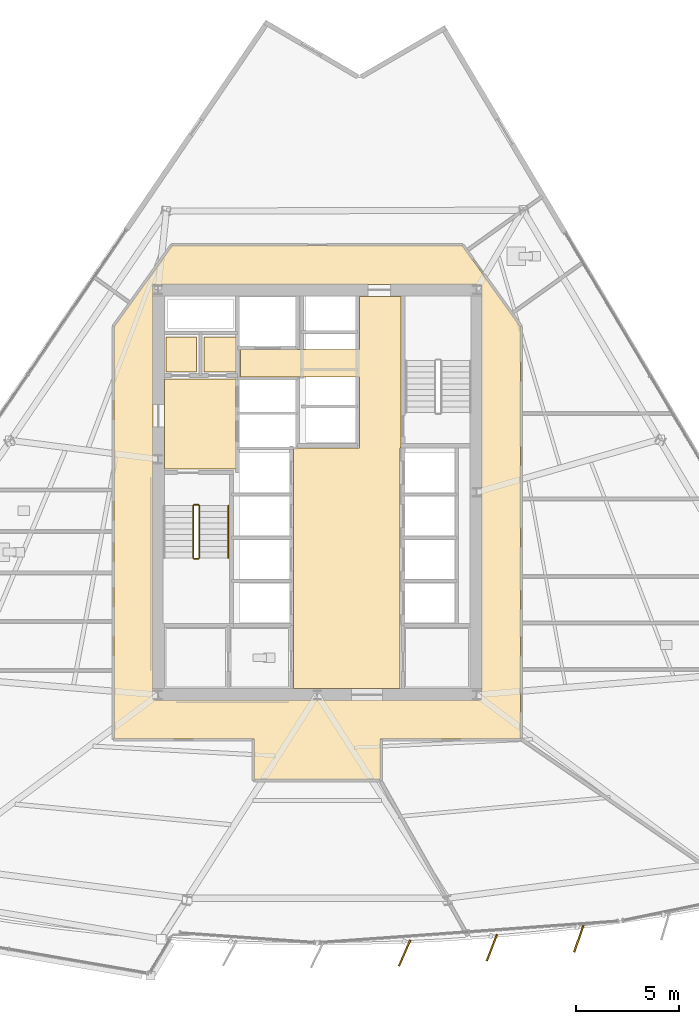
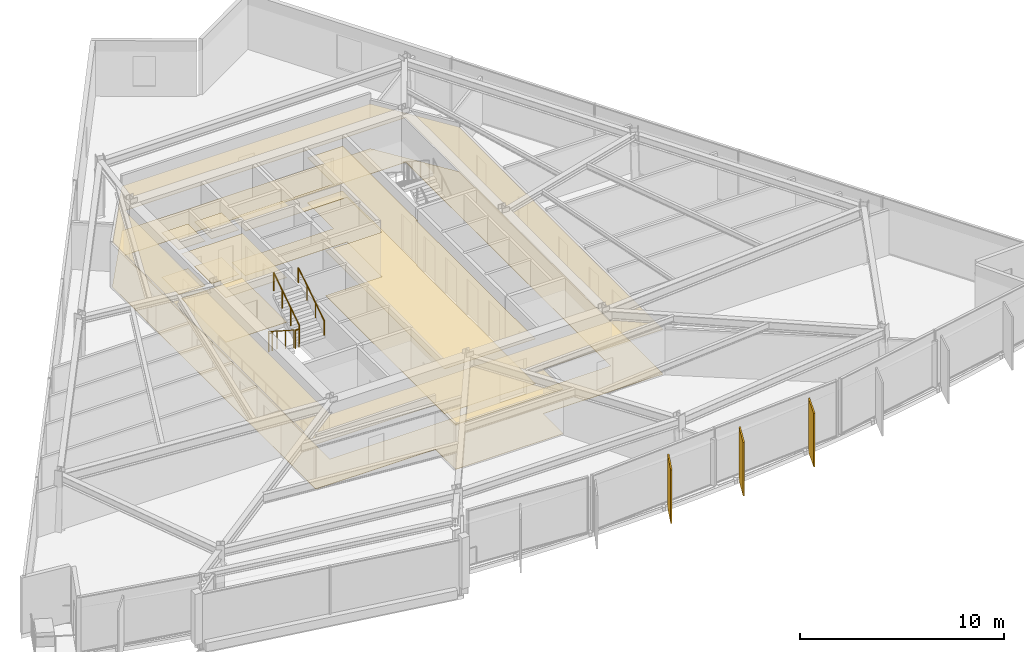
# One storey, part 12 of 15: 10 coverings, 5 railings, 3 shading devices.
"""IFC4 building model written with IfcOpenShell, lengths in metres."""

from ifc_helpers import new_model, si_unit, direction, frame, origin, origin_2d, place, context, subcontext, project, spatial, polyline, rectangle, circle, outline, extrude, material, layer, layer_set, type_object, element, save


model = new_model("IFC4")

# Units and contexts
model_context = context("Model", 3, precision=1e-05, world=origin(), true_north=direction((0.0, 1.0)))
body_context = subcontext(model_context, "Body", "Model", "MODEL_VIEW")
ifc_project = project(units=[si_unit("LENGTHUNIT", "METRE"), si_unit("AREAUNIT", "SQUARE_METRE"), si_unit("VOLUMEUNIT", "CUBIC_METRE"), si_unit("PLANEANGLEUNIT", "RADIAN"), si_unit("MASSUNIT", "GRAM", prefix="KILO")], contexts=[model_context])

# Site, building, storey
site_placement = place(None, origin())
site = spatial("IfcSite", under=ifc_project, at=site_placement, CompositionType="ELEMENT")
building_placement = place(site_placement, origin())
building = spatial("IfcBuilding", under=site, at=building_placement, Name="Savorim Split Tower", CompositionType="ELEMENT")
storey_placement = place(building_placement, frame((0.0, 0.0, 104.10009765625)))
storey = spatial("IfcBuildingStorey", under=building, at=storey_placement, Name="L27", CompositionType="ELEMENT", Elevation=104.10009765625)

# Coverings
ifc_material_1 = material(Name="Mineral Fibre Acoustic Ceiling")
ifc_layer_1 = layer(ifc_material_1, 0.02490234375)
ifc_layer_set_1 = layer_set([ifc_layer_1], Name="COV-CEIL-25")
covering_type_1 = type_object("IfcCoveringType", Name="COV-CEIL-25", PredefinedType="CEILING", material=ifc_layer_set_1)
covering_1_placement = place(storey_placement, frame((0.0, 0.0, 2.669921875)))
element("IfcCovering", 1, at=covering_1_placement, inside=storey, type_object=covering_type_1, Name="L27 Firefighting Lift Lobby Acoustic Ceiling", PredefinedType="CEILING", context=body_context, shape_type="SweptSolid", body=[
    extrude(outline(polyline([(-7.3798828125, 5.8701171875), (-7.3798828125, 1.530029296875), (-3.929931640625, 1.530029296875), (-3.929931640625, 5.8701171875), (-7.3798828125, 5.8701171875)])), origin(), (0.0, 0.0, 1.0), 0.02490234375),
])
covering_2_placement = place(storey_placement, frame((0.0, 0.0, 2.669921875)))
element("IfcCovering", 2, at=covering_2_placement, inside=storey, type_object=covering_type_1, Name="L27 Electrical Riser Acoustic Ceiling", PredefinedType="CEILING", context=body_context, shape_type="SweptSolid", body=[
    extrude(outline(polyline([(-7.320068359375, 7.919921875), (-7.320068359375, 6.22998046875), (-5.830078125, 6.22998046875), (-5.830078125, 7.919921875), (-7.320068359375, 7.919921875)])), origin(), (0.0, 0.0, 1.0), 0.02490234375),
])
covering_3_placement = place(storey_placement, frame((0.0, 0.0, 2.669921875)))
element("IfcCovering", 3, at=covering_3_placement, inside=storey, type_object=covering_type_1, Name="L27 Telecom Riser Acoustic Ceiling", PredefinedType="CEILING", context=body_context, shape_type="SweptSolid", body=[
    extrude(outline(polyline([(-5.469970703125, 7.919921875), (-5.469970703125, 6.22998046875), (-3.929931640625, 6.22998046875), (-3.929931640625, 7.919921875), (-5.469970703125, 7.919921875)])), origin(), (0.0, 0.0, 1.0), 0.02490234375),
])
covering_4_placement = place(storey_placement, frame((0.0, 0.0, 2.669921875)))
element("IfcCovering", 4, at=covering_4_placement, inside=storey, type_object=covering_type_1, Name="L27 Lift Lobby Acoustic Ceiling", PredefinedType="CEILING", context=body_context, shape_type="SweptSolid", body=[
    extrude(outline(polyline([(2.050048828125, 2.550048828125), (-1.14990234375, 2.550048828125), (-1.14990234375, -9.10009765625), (4.0, -9.10009765625), (4.0, 2.550048828125), (4.050048828125, 2.550048828125), (4.050048828125, 5.97998046875), (4.050048828125, 7.300048828125), (4.050048828125, 9.8798828125), (2.050048828125, 9.8798828125), (2.050048828125, 7.300048828125), (-3.699951171875, 7.300048828125), (-3.699951171875, 5.97998046875), (2.050048828125, 5.97998046875), (2.050048828125, 2.550048828125)])), origin(), (0.0, 0.0, 1.0), 0.02490234375),
])
covering_5_placement = place(storey_placement, frame((0.0, 0.0, 2.669921875)))
element("IfcCovering", 5, at=covering_5_placement, inside=storey, type_object=covering_type_1, Name="L27 Corridor Acoustic Ceiling", PredefinedType="CEILING", context=body_context, shape_type="SweptSolid", body=[
    extrude(outline(polyline([(7.009521484375, 12.3291015625), (7.004638671875, 12.329833984375), (7.0, 12.330078125), (-7.0, 12.330078125), (-7.004638671875, 12.329833984375), (-7.009521484375, 12.3291015625), (-7.013916015625, 12.327880859375), (-7.0185546875, 12.326416015625), (-7.022705078125, 12.324462890625), (-7.027099609375, 12.322021484375), (-7.03076171875, 12.3193359375), (-7.034423828125, 12.31640625), (-7.03759765625, 12.312744140625), (-7.04052734375, 12.30908203125), (-9.820556640625, 8.42919921875), (-9.823486328125, 8.4248046875), (-9.82568359375, 8.420166015625), (-9.82763671875, 8.415283203125), (-9.828857421875, 8.410400390625), (-9.82958984375, 8.4052734375), (-9.830078125, 8.39990234375), (-9.830078125, -11.47998046875), (-9.829833984375, -11.48486328125), (-9.8291015625, -11.48974609375), (-9.827880859375, -11.494384765625), (-9.826171875, -11.4990234375), (-9.82421875, -11.503662109375), (-9.821533203125, -11.5078125), (-9.818603515625, -11.51171875), (-9.8154296875, -11.515380859375), (-9.811767578125, -11.518798828125), (-9.807861328125, -11.521484375), (-9.8037109375, -11.524169921875), (-9.799072265625, -11.526123046875), (-9.79443359375, -11.52783203125), (-9.789794921875, -11.529052734375), (-9.784912109375, -11.52978515625), (-9.780029296875, -11.530029296875), (-3.050048828125, -11.530029296875), (-3.050048828125, -13.449951171875), (-3.0498046875, -13.454833984375), (-3.049072265625, -13.459716796875), (-3.0478515625, -13.464599609375), (-3.046142578125, -13.468994140625), (-3.044189453125, -13.4736328125), (-3.04150390625, -13.477783203125), (-3.038818359375, -13.481689453125), (-3.035400390625, -13.4853515625), (-3.03173828125, -13.48876953125), (-3.02783203125, -13.49169921875), (-3.023681640625, -13.494140625), (-3.01904296875, -13.49609375), (-3.014404296875, -13.497802734375), (-3.009765625, -13.4990234375), (-3.0048828125, -13.499755859375), (-3.0, -13.5), (3.0, -13.5), (3.0048828125, -13.499755859375), (3.009765625, -13.4990234375), (3.014404296875, -13.497802734375), (3.01904296875, -13.49609375), (3.023681640625, -13.494140625), (3.02783203125, -13.49169921875), (3.03173828125, -13.48876953125), (3.035400390625, -13.4853515625), (3.038818359375, -13.481689453125), (3.04150390625, -13.477783203125), (3.044189453125, -13.4736328125), (3.046142578125, -13.468994140625), (3.0478515625, -13.464599609375), (3.049072265625, -13.459716796875), (3.0498046875, -13.454833984375), (3.050048828125, -13.449951171875), (3.050048828125, -11.530029296875), (9.780029296875, -11.530029296875), (9.784912109375, -11.52978515625), (9.789794921875, -11.529052734375), (9.79443359375, -11.52783203125), (9.799072265625, -11.526123046875), (9.8037109375, -11.524169921875), (9.807861328125, -11.521484375), (9.811767578125, -11.518798828125), (9.8154296875, -11.515380859375), (9.818603515625, -11.51171875), (9.821533203125, -11.5078125), (9.82421875, -11.503662109375), (9.826171875, -11.4990234375), (9.827880859375, -11.494384765625), (9.8291015625, -11.48974609375), (9.829833984375, -11.48486328125), (9.830078125, -11.47998046875), (9.830078125, 8.39990234375), (9.82958984375, 8.4052734375), (9.828857421875, 8.410400390625), (9.82763671875, 8.415283203125), (9.82568359375, 8.420166015625), (9.823486328125, 8.4248046875), (9.820556640625, 8.42919921875), (7.04052734375, 12.30908203125), (7.03759765625, 12.312744140625), (7.034423828125, 12.31640625), (7.03076171875, 12.3193359375), (7.027099609375, 12.322021484375), (7.022705078125, 12.324462890625), (7.0185546875, 12.326416015625), (7.013916015625, 12.327880859375), (7.009521484375, 12.3291015625)]), holes=[polyline([(-7.949951171875, 10.449951171875), (-7.949951171875, -9.64990234375), (7.949951171875, -9.64990234375), (7.949951171875, 10.449951171875), (-7.949951171875, 10.449951171875)])]), origin(), (0.0, 0.0, 1.0), 0.02490234375),
])
ifc_material_2 = material(Name="Porcelain Stoneware Flooring", Category="masonry")
ifc_layer_2 = layer(ifc_material_2, 0.02001953125)
ifc_layer_set_2 = layer_set([ifc_layer_2], Name="COV-FLOR-20")
covering_type_2 = type_object("IfcCoveringType", Name="COV-FLOR-20", PredefinedType="FLOORING", material=ifc_layer_set_2)
covering_6_placement = place(storey_placement, origin())
element("IfcCovering", 6, at=covering_6_placement, inside=storey, type_object=covering_type_2, Name="L27 Firefighting Lift Lobby Porcelain Flooring", PredefinedType="FLOORING", context=body_context, shape_type="SweptSolid", body=[
    extrude(outline(polyline([(-7.3798828125, 5.8701171875), (-7.3798828125, 1.530029296875), (-3.929931640625, 1.530029296875), (-3.929931640625, 5.8701171875), (-7.3798828125, 5.8701171875)])), origin(), (0.0, 0.0, 1.0), 0.02001953125),
])
covering_7_placement = place(storey_placement, origin())
element("IfcCovering", 7, at=covering_7_placement, inside=storey, type_object=covering_type_2, Name="L27 Electrical Riser Porcelain Flooring", PredefinedType="FLOORING", context=body_context, shape_type="SweptSolid", body=[
    extrude(outline(polyline([(-7.320068359375, 7.919921875), (-7.320068359375, 6.22998046875), (-5.830078125, 6.22998046875), (-5.830078125, 7.919921875), (-7.320068359375, 7.919921875)])), origin(), (0.0, 0.0, 1.0), 0.02001953125),
])
covering_8_placement = place(storey_placement, origin())
element("IfcCovering", 8, at=covering_8_placement, inside=storey, type_object=covering_type_2, Name="L27 Telecom Riser Porcelain Flooring", PredefinedType="FLOORING", context=body_context, shape_type="SweptSolid", body=[
    extrude(outline(polyline([(-5.469970703125, 7.919921875), (-5.469970703125, 6.22998046875), (-3.929931640625, 6.22998046875), (-3.929931640625, 7.919921875), (-5.469970703125, 7.919921875)])), origin(), (0.0, 0.0, 1.0), 0.02001953125),
])
covering_9_placement = place(storey_placement, origin())
element("IfcCovering", 9, at=covering_9_placement, inside=storey, type_object=covering_type_2, Name="L27 Lift Lobby Porcelain Flooring", PredefinedType="FLOORING", context=body_context, shape_type="SweptSolid", body=[
    extrude(outline(polyline([(2.050048828125, 2.550048828125), (-1.14990234375, 2.550048828125), (-1.14990234375, -9.10009765625), (4.0, -9.10009765625), (4.0, 2.550048828125), (4.050048828125, 2.550048828125), (4.050048828125, 5.97998046875), (4.050048828125, 7.300048828125), (4.050048828125, 9.8798828125), (2.050048828125, 9.8798828125), (2.050048828125, 7.300048828125), (-3.699951171875, 7.300048828125), (-3.699951171875, 5.97998046875), (2.050048828125, 5.97998046875), (2.050048828125, 2.550048828125)])), origin(), (0.0, 0.0, 1.0), 0.02001953125),
])
covering_10_placement = place(storey_placement, origin())
element("IfcCovering", 10, at=covering_10_placement, inside=storey, type_object=covering_type_2, Name="L27 Corridor Porcelain Flooring", PredefinedType="FLOORING", context=body_context, shape_type="SweptSolid", body=[
    extrude(outline(polyline([(7.009521484375, 12.3291015625), (7.004638671875, 12.329833984375), (7.0, 12.330078125), (-7.0, 12.330078125), (-7.004638671875, 12.329833984375), (-7.009521484375, 12.3291015625), (-7.013916015625, 12.327880859375), (-7.0185546875, 12.326416015625), (-7.022705078125, 12.324462890625), (-7.027099609375, 12.322021484375), (-7.03076171875, 12.3193359375), (-7.034423828125, 12.31640625), (-7.03759765625, 12.312744140625), (-7.04052734375, 12.30908203125), (-9.820556640625, 8.42919921875), (-9.823486328125, 8.4248046875), (-9.82568359375, 8.420166015625), (-9.82763671875, 8.415283203125), (-9.828857421875, 8.410400390625), (-9.82958984375, 8.4052734375), (-9.830078125, 8.39990234375), (-9.830078125, -11.47998046875), (-9.829833984375, -11.48486328125), (-9.8291015625, -11.48974609375), (-9.827880859375, -11.494384765625), (-9.826171875, -11.4990234375), (-9.82421875, -11.503662109375), (-9.821533203125, -11.5078125), (-9.818603515625, -11.51171875), (-9.8154296875, -11.515380859375), (-9.811767578125, -11.518798828125), (-9.807861328125, -11.521484375), (-9.8037109375, -11.524169921875), (-9.799072265625, -11.526123046875), (-9.79443359375, -11.52783203125), (-9.789794921875, -11.529052734375), (-9.784912109375, -11.52978515625), (-9.780029296875, -11.530029296875), (-3.050048828125, -11.530029296875), (-3.050048828125, -13.449951171875), (-3.0498046875, -13.454833984375), (-3.049072265625, -13.459716796875), (-3.0478515625, -13.464599609375), (-3.046142578125, -13.468994140625), (-3.044189453125, -13.4736328125), (-3.04150390625, -13.477783203125), (-3.038818359375, -13.481689453125), (-3.035400390625, -13.4853515625), (-3.03173828125, -13.48876953125), (-3.02783203125, -13.49169921875), (-3.023681640625, -13.494140625), (-3.01904296875, -13.49609375), (-3.014404296875, -13.497802734375), (-3.009765625, -13.4990234375), (-3.0048828125, -13.499755859375), (-3.0, -13.5), (3.0, -13.5), (3.0048828125, -13.499755859375), (3.009765625, -13.4990234375), (3.014404296875, -13.497802734375), (3.01904296875, -13.49609375), (3.023681640625, -13.494140625), (3.02783203125, -13.49169921875), (3.03173828125, -13.48876953125), (3.035400390625, -13.4853515625), (3.038818359375, -13.481689453125), (3.04150390625, -13.477783203125), (3.044189453125, -13.4736328125), (3.046142578125, -13.468994140625), (3.0478515625, -13.464599609375), (3.049072265625, -13.459716796875), (3.0498046875, -13.454833984375), (3.050048828125, -13.449951171875), (3.050048828125, -11.530029296875), (9.780029296875, -11.530029296875), (9.784912109375, -11.52978515625), (9.789794921875, -11.529052734375), (9.79443359375, -11.52783203125), (9.799072265625, -11.526123046875), (9.8037109375, -11.524169921875), (9.807861328125, -11.521484375), (9.811767578125, -11.518798828125), (9.8154296875, -11.515380859375), (9.818603515625, -11.51171875), (9.821533203125, -11.5078125), (9.82421875, -11.503662109375), (9.826171875, -11.4990234375), (9.827880859375, -11.494384765625), (9.8291015625, -11.48974609375), (9.829833984375, -11.48486328125), (9.830078125, -11.47998046875), (9.830078125, 8.39990234375), (9.82958984375, 8.4052734375), (9.828857421875, 8.410400390625), (9.82763671875, 8.415283203125), (9.82568359375, 8.420166015625), (9.823486328125, 8.4248046875), (9.820556640625, 8.42919921875), (7.04052734375, 12.30908203125), (7.03759765625, 12.312744140625), (7.034423828125, 12.31640625), (7.03076171875, 12.3193359375), (7.027099609375, 12.322021484375), (7.022705078125, 12.324462890625), (7.0185546875, 12.326416015625), (7.013916015625, 12.327880859375), (7.009521484375, 12.3291015625)]), holes=[polyline([(-7.949951171875, 10.449951171875), (-7.949951171875, -9.64990234375), (7.949951171875, -9.64990234375), (7.949951171875, 10.449951171875), (-7.949951171875, 10.449951171875)])]), origin(), (0.0, 0.0, 1.0), 0.02001953125),
])

# Railings
ifc_material_3 = material(Name="Galvanised Painted Steel Balustrade", Category="steel")
railing_type_1 = type_object("IfcRailingType", Name="RLG-HR-900", PredefinedType="HANDRAIL", material=ifc_material_3)
railing_1_placement = place(storey_placement, frame((-4.300048828125, -2.77001953125, 1.97998046875)))
element("IfcRailing", 11, at=railing_1_placement, inside=storey, type_object=railing_type_1, Name="L27 ST-1 stair handrail 2", PredefinedType="HANDRAIL", context=body_context, shape_type="SweptSolid", body=[
    extrude(circle(Radius=0.02392578125, at=origin_2d()), frame((0.0, 0.0, 0.8759765625), z_axis=(0.0, 0.841199657755, 0.540724639528), x_axis=(-1.0, 0.0, 0.0)), (0.0, 0.0, 1.0), 2.995849609375),
    extrude(circle(Radius=0.02099609375, at=origin_2d()), origin(), (0.0, 0.0, 1.0), 0.851806640625),
    extrude(circle(Radius=0.02099609375, at=origin_2d()), frame((0.0, 0.840087890625, 0.5400390625)), (0.0, 0.0, 1.0), 0.851806640625),
    extrude(circle(Radius=0.02099609375, at=origin_2d()), frame((0.0, 1.679931640625, 1.079833984375)), (0.0, 0.0, 1.0), 0.851806640625),
    extrude(circle(Radius=0.02099609375, at=origin_2d()), frame((0.0, 2.52001953125, 1.619873046875)), (0.0, 0.0, 1.0), 0.851806640625),
])
railing_type_2 = type_object("IfcRailingType", Name="RLG-STG-1100", PredefinedType="BALUSTRADE", material=ifc_material_3)
railing_2_placement = place(storey_placement, frame((-6.0, -0.25, 0.179931640625)))
element("IfcRailing", 12, at=railing_2_placement, inside=storey, type_object=railing_type_2, Name="L27 ST-1 stair guard 1", PredefinedType="BALUSTRADE", context=body_context, shape_type="SweptSolid", body=[
    extrude(circle(Radius=0.02392578125, at=origin_2d()), frame((0.0, 0.0, 1.076171875), z_axis=(0.0, -0.841199657755, 0.540724639528), x_axis=(1.0, 0.0, 0.0)), (0.0, 0.0, 1.0), 2.995849609375),
    extrude(circle(Radius=0.02099609375, at=origin_2d()), origin(), (0.0, 0.0, 1.0), 1.052001953125),
    extrude(circle(Radius=0.02099609375, at=origin_2d()), frame((0.0, -0.840087890625, 0.5400390625)), (0.0, 0.0, 1.0), 1.052001953125),
    extrude(circle(Radius=0.02099609375, at=origin_2d()), frame((0.0, -1.679931640625, 1.079833984375)), (0.0, 0.0, 1.0), 1.052001953125),
    extrude(circle(Radius=0.02099609375, at=origin_2d()), frame((0.0, -2.52001953125, 1.619873046875)), (0.0, 0.0, 1.0), 1.052001953125),
])
railing_3_placement = place(storey_placement, frame((-5.949951171875, -2.820068359375, 1.7998046875)))
element("IfcRailing", 13, at=railing_3_placement, inside=storey, type_object=railing_type_2, Name="L27 ST-1 stair guard 2", PredefinedType="BALUSTRADE", context=body_context, shape_type="SweptSolid", body=[
    extrude(circle(Radius=0.02392578125, at=origin_2d()), frame((0.0, 0.0, 1.076171875), z_axis=(1.0, 0.0, 0.0), x_axis=(0.0, 1.0, 0.0)), (0.0, 0.0, 1.0), 0.199951171875),
    extrude(circle(Radius=0.02099609375, at=origin_2d()), origin(), (0.0, 0.0, 1.0), 1.052001953125),
    extrude(circle(Radius=0.02099609375, at=origin_2d()), frame((0.199951171875, 0.0, 0.0)), (0.0, 0.0, 1.0), 1.052001953125),
])
railing_4_placement = place(storey_placement, frame((-5.699951171875, -2.77001953125, 1.97998046875)))
element("IfcRailing", 14, at=railing_4_placement, inside=storey, type_object=railing_type_2, Name="L27 ST-1 stair guard 3", PredefinedType="BALUSTRADE", context=body_context, shape_type="SweptSolid", body=[
    extrude(circle(Radius=0.02392578125, at=origin_2d()), frame((0.0, 0.0, 1.076171875), z_axis=(0.0, 0.841199657755, 0.540724639528), x_axis=(-1.0, 0.0, 0.0)), (0.0, 0.0, 1.0), 2.995849609375),
    extrude(circle(Radius=0.02099609375, at=origin_2d()), origin(), (0.0, 0.0, 1.0), 1.052001953125),
    extrude(circle(Radius=0.02099609375, at=origin_2d()), frame((0.0, 0.840087890625, 0.5400390625)), (0.0, 0.0, 1.0), 1.052001953125),
    extrude(circle(Radius=0.02099609375, at=origin_2d()), frame((0.0, 1.679931640625, 1.079833984375)), (0.0, 0.0, 1.0), 1.052001953125),
    extrude(circle(Radius=0.02099609375, at=origin_2d()), frame((0.0, 2.52001953125, 1.619873046875)), (0.0, 0.0, 1.0), 1.052001953125),
])
railing_5_placement = place(storey_placement, frame((-5.949951171875, -0.199951171875, 0.0)))
element("IfcRailing", 15, at=railing_5_placement, inside=storey, type_object=railing_type_2, Name="L27 ST-1 stair guard 4", PredefinedType="BALUSTRADE", context=body_context, shape_type="SweptSolid", body=[
    extrude(circle(Radius=0.02392578125, at=origin_2d()), frame((0.0, 0.0, 1.076171875), z_axis=(1.0, 0.0, 0.0), x_axis=(0.0, 1.0, 0.0)), (0.0, 0.0, 1.0), 0.199951171875),
    extrude(circle(Radius=0.02099609375, at=origin_2d()), origin(), (0.0, 0.0, 1.0), 1.052001953125),
    extrude(circle(Radius=0.02099609375, at=origin_2d()), frame((0.199951171875, 0.0, 0.0)), (0.0, 0.0, 1.0), 1.052001953125),
])

# Shading devices
ifc_material_4 = material(Name="Terracotta Ceramic-Coated Aluminium Fin", Category="masonry")
shading_device_type = type_object("IfcShadingDeviceType", Name="SHD-FIN-1360", PredefinedType="USERDEFINED", material=ifc_material_4)
for number, where, z_axis, x_axis, name in (
    (16, (4.227294921875, -21.890380859375, -0.2001953125), (0.0, 0.0, 1.0), (-0.401230091723, -0.915977299662, 0.0), "L27 Sawtooth Shading Fin 08"),
    (17, (8.447509765625, -21.630859375, -0.2001953125), (0.0, 0.0, 1.0), (-0.363415461732, -0.931627179817, 0.0), "L27 Sawtooth Shading Fin 09"),
    (18, (12.653564453125, -21.198974609375, -0.2001953125), (0.0, 0.0, 1.0), (-0.324993810493, -0.945716143005, 0.0), "L27 Sawtooth Shading Fin 10"),
):
    element("IfcShadingDevice", number, at=place(storey_placement, frame(where, z_axis=z_axis, x_axis=x_axis)), inside=storey, type_object=shading_device_type, Name=name, ObjectType="FIN", PredefinedType="USERDEFINED", context=body_context, shape_type="SweptSolid", body=[
        extrude(rectangle(XDim=1.360107421875, YDim=0.080078125, at=origin_2d()), origin(), (0.0, 0.0, 1.0), 3.199951171875),
    ])

save(model, "model.ifc")
